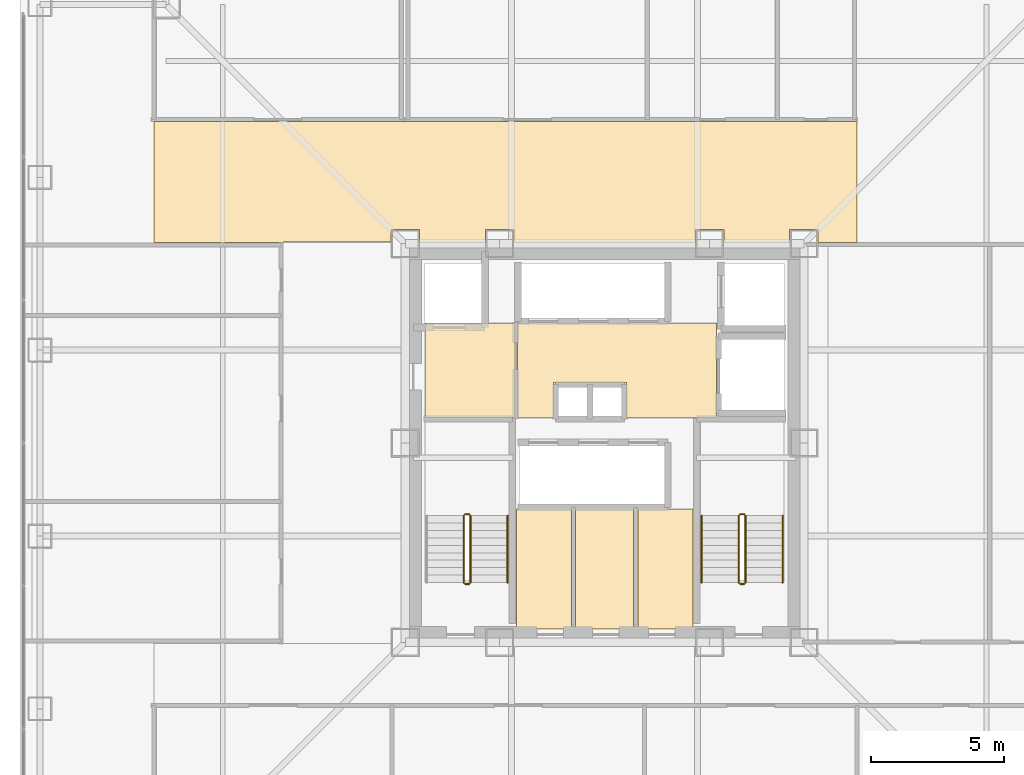
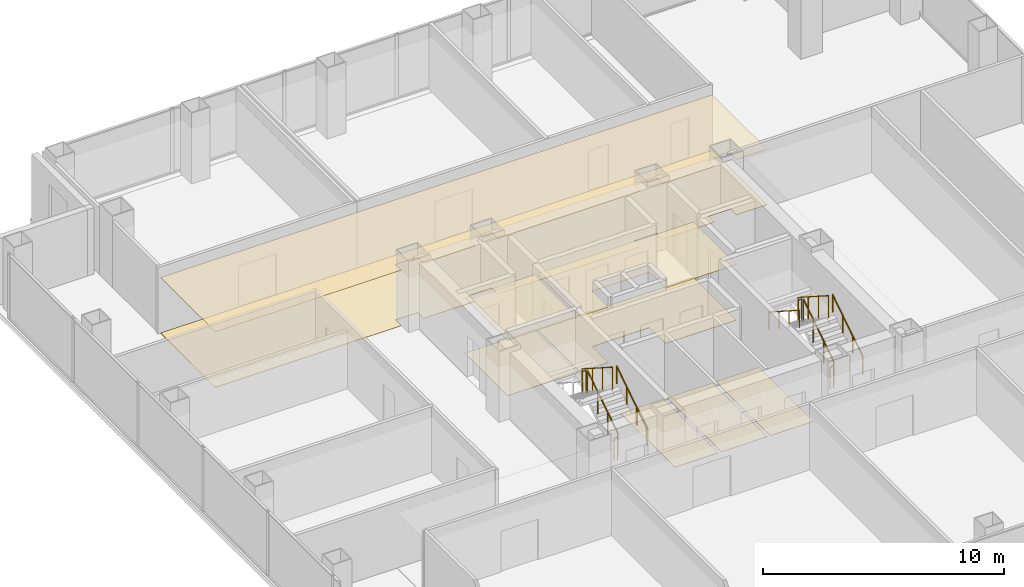
# One storey, part 16 of 17: 11 railings, 9 coverings.
"""IFC4 building model written with IfcOpenShell, lengths in metres."""

import ifcopenshell
import ifcopenshell.guid

model = None  # the IFC model being written
_history = None  # IfcOwnerHistory: only IFC2X3 demands one
_inside = {}  # id of a spatial element -> (the spatial element, [elements in it])
_under = {}  # id of a project, library or spatial element -> (it, [spatial elements below it])
_declared = {}  # id of a project -> (the project, [libraries it declares])
_typed = {}  # id of a type object -> (the type object, [elements of that type])
_made_of = {}  # id of a material, layer set ... -> (it, [elements and type objects made of it])


def new_model(schema):
    """Start an empty IFC model of exactly this schema.

    Asked for "IFC4X3", IfcOpenShell would pick the latest addendum, in which some entities
    have other attributes; the version numbers below select the first issue.
    IFC2X3 requires an IfcOwnerHistory on every rooted entity: one is made here for all.
    """
    global model, _history
    if schema == "IFC4X3":
        model = ifcopenshell.file(schema_version=(4, 3, 0, 0))
    else:
        model = ifcopenshell.file(schema=schema)
    _inside.clear()
    _under.clear()
    _declared.clear()
    _typed.clear()
    _made_of.clear()
    _history = None
    if model.schema == "IFC2X3":
        org = make("IfcOrganization", Name="unknown")
        user = make(
            "IfcPersonAndOrganization",
            ThePerson=make("IfcPerson", FamilyName="unknown"),
            TheOrganization=org,
        )
        app = make(
            "IfcApplication",
            ApplicationDeveloper=org,
            Version="unknown",
            ApplicationFullName="unknown",
            ApplicationIdentifier="unknown",
        )
        _history = make(
            "IfcOwnerHistory",
            OwningUser=user,
            OwningApplication=app,
            ChangeAction="ADDED",
            CreationDate=0,
        )
    return model


def make(cls, **values):
    """One entity of the class cls with the attributes given. An attribute that is None is left unset."""
    return model.create_entity(
        cls, **{name: value for name, value in values.items() if value is not None}
    )


def rooted(cls, **values):
    """An entity with a GlobalId (a new one), such as an element, a storey or a relation."""
    return make(cls, GlobalId=ifcopenshell.guid.new(), OwnerHistory=_history, **values)


def si_unit(unit_type, name, prefix=None):
    """IfcSIUnit, for example si_unit("LENGTHUNIT", "METRE", prefix="MILLI")."""
    return make("IfcSIUnit", UnitType=unit_type, Prefix=prefix, Name=name)


def assignment(units):
    """IfcUnitAssignment: the units of a project."""
    return None if units is None else make("IfcUnitAssignment", Units=units)


def point(xyz):
    """IfcCartesianPoint."""
    return None if xyz is None else make("IfcCartesianPoint", Coordinates=xyz)


def direction(xyz):
    """IfcDirection."""
    return None if xyz is None else make("IfcDirection", DirectionRatios=xyz)


def frame(location, z_axis=None, x_axis=None):
    """IfcAxis2Placement3D, a coordinate frame: its origin and axes. An axis left out is left unset."""
    return make(
        "IfcAxis2Placement3D",
        Location=point(location),
        Axis=direction(z_axis),
        RefDirection=direction(x_axis),
    )


def frame_2d(location, x_axis=None):
    """IfcAxis2Placement2D, a coordinate frame in the plane: its origin and x axis."""
    return make(
        "IfcAxis2Placement2D", Location=point(location), RefDirection=direction(x_axis)
    )


def origin():
    """The frame at (0, 0, 0) with its axes left unset."""
    return frame((0.0, 0.0, 0.0))


def origin_2d():
    """The frame at (0, 0) in the plane with its x axis left unset."""
    return frame_2d((0.0, 0.0))


def place(relative_to, where):
    """IfcLocalPlacement: puts the frame where relative to a parent placement (None: the world)."""
    return make(
        "IfcLocalPlacement", PlacementRelTo=relative_to, RelativePlacement=where
    )


def context(
    kind, dimensions, precision=None, world=None, true_north=None, identifier=None
):
    """IfcGeometricRepresentationContext, for example the 3D "Model" context."""
    return make(
        "IfcGeometricRepresentationContext",
        ContextIdentifier=identifier,
        ContextType=kind,
        CoordinateSpaceDimension=dimensions,
        Precision=precision,
        WorldCoordinateSystem=world,
        TrueNorth=true_north,
    )


def subcontext(parent, identifier, kind, view, scale=None):
    """IfcGeometricRepresentationSubContext, for example "Body" below "Model"."""
    return make(
        "IfcGeometricRepresentationSubContext",
        ContextIdentifier=identifier,
        ContextType=kind,
        ParentContext=parent,
        TargetScale=scale,
        TargetView=view,
    )


def project(units=None, contexts=None):
    """IfcProject with its units and contexts."""
    return rooted(
        "IfcProject",
        Name="project",
        RepresentationContexts=contexts,
        UnitsInContext=assignment(units),
    )


def spatial(cls, under=None, at=None, **own):
    """A site, building, storey or space (cls), placed at a placement, below another one or the project."""
    s = rooted(cls, ObjectPlacement=at, **own)
    if under is not None:
        _under.setdefault(under.id(), (under, []))[1].append(s)
    return s


def polyline(points):
    """IfcPolyline through the points."""
    return make("IfcPolyline", Points=[point(p) for p in points])


def profile(cls, at=None, kind="AREA", **sizes):
    """A parametric profile (cls). Its sizes go by their IFC names, for example OverallWidth=200.0."""
    return make(cls, ProfileType=kind, Position=at, **sizes)


def circle(**sizes):
    """IfcCircleProfileDef."""
    return profile("IfcCircleProfileDef", **sizes)


def outline(outer, holes=None, kind="AREA"):
    """IfcArbitraryClosedProfileDef: a profile drawn as a closed curve; with holes, ...WithVoids."""
    if holes is None:
        return make("IfcArbitraryClosedProfileDef", ProfileType=kind, OuterCurve=outer)
    return make(
        "IfcArbitraryProfileDefWithVoids",
        ProfileType=kind,
        OuterCurve=outer,
        InnerCurves=holes,
    )


def extrude(swept, where, along, depth):
    """IfcExtrudedAreaSolid: the profile swept, set in the frame where, extruded along a direction by depth."""
    return make(
        "IfcExtrudedAreaSolid",
        SweptArea=swept,
        Position=where,
        ExtrudedDirection=direction(along),
        Depth=depth,
    )


def shape(context_of_items, identifier, shape_type, items):
    """IfcShapeRepresentation: the items that make up one representation, for example the "Body"."""
    return make(
        "IfcShapeRepresentation",
        ContextOfItems=context_of_items,
        RepresentationIdentifier=identifier,
        RepresentationType=shape_type,
        Items=items,
    )


def material(Name=None, Category=None):
    """IfcMaterial."""
    return make("IfcMaterial", Name=Name, Category=Category)


def layer(
    of_material, thickness, ventilated=None, Name=None, Category=None, Priority=None
):
    """IfcMaterialLayer: one layer of a wall or slab, of a material (None: an air gap)."""
    return make(
        "IfcMaterialLayer",
        Material=of_material,
        LayerThickness=thickness,
        IsVentilated=ventilated,
        Name=Name,
        Category=Category,
        Priority=Priority,
    )


def layer_set(layers, Name=None):
    """IfcMaterialLayerSet."""
    return make("IfcMaterialLayerSet", MaterialLayers=layers, LayerSetName=Name)


def made_of(thing, what):
    """Note that an element or type object is made of a material, layer set ...; save() writes the relation."""
    if what is not None:
        _made_of.setdefault(what.id(), (what, []))[1].append(thing)
    return thing


def type_object(cls, material=None, **own):
    """A type object (cls), such as IfcWallType, which elements share."""
    return made_of(rooted(cls, **own), material)


def element(
    cls,
    number,
    at=None,
    inside=None,
    cuts=None,
    type_object=None,
    material=None,
    context=None,
    identifier="Body",
    shape_type=None,
    held_by="IfcProductDefinitionShape",
    body=None,
    shapes=None,
    **own,
):
    """One element of the class cls, such as IfcWall. Its Tag is "e" and its number.

    at: its placement. inside: the storey or other place that contains it. cuts: it is an
    opening in that element (IfcRelVoidsElement). A single representation is given by context,
    identifier, shape_type and body (its items); several are given by shapes. held_by: the class
    of the entity that holds the representations. save() writes the other relations.
    """
    e = rooted(cls, Tag="e%d" % number, ObjectPlacement=at, **own)
    if body is not None:
        shapes = [shape(context, identifier, shape_type, body)]
    if shapes is not None:
        e.Representation = make(held_by, Representations=shapes)
    if inside is not None:
        _inside.setdefault(inside.id(), (inside, []))[1].append(e)
    if cuts is not None:
        rooted(
            "IfcRelVoidsElement", RelatingBuildingElement=cuts, RelatedOpeningElement=e
        )
    if type_object is not None:
        _typed.setdefault(type_object.id(), (type_object, []))[1].append(e)
    return made_of(e, material)


def aggregate(whole, parts):
    """IfcRelAggregates: a whole, such as a stair, and the parts it consists of."""
    return rooted("IfcRelAggregates", RelatingObject=whole, RelatedObjects=parts)


def save(model, path):
    """Write the relations noted so far, then the file.

    IfcRelAggregates (storeys below a building ...), IfcRelContainedInSpatialStructure (elements
    in a storey), IfcRelDefinesByType, IfcRelAssociatesMaterial and IfcRelDeclares: one each for
    every whole, place, type object, material and project.
    """
    for whole, parts in _under.values():
        aggregate(whole, parts)
    for where, things in _inside.values():
        rooted(
            "IfcRelContainedInSpatialStructure",
            RelatedElements=things,
            RelatingStructure=where,
        )
    for kind, things in _typed.values():
        rooted("IfcRelDefinesByType", RelatedObjects=things, RelatingType=kind)
    for what, things in _made_of.values():
        rooted("IfcRelAssociatesMaterial", RelatedObjects=things, RelatingMaterial=what)
    for by, libraries in _declared.values():
        rooted("IfcRelDeclares", RelatingContext=by, RelatedDefinitions=libraries)
    model.write(path)


model = new_model("IFC4")

# Units and contexts
model_context = context("Model", 3, precision=1e-05, world=origin(), true_north=direction((0.0, 1.0)))
body_context = subcontext(model_context, "Body", "Model", "MODEL_VIEW")
ifc_project = project(units=[si_unit("LENGTHUNIT", "METRE"), si_unit("AREAUNIT", "SQUARE_METRE"), si_unit("VOLUMEUNIT", "CUBIC_METRE"), si_unit("PLANEANGLEUNIT", "RADIAN"), si_unit("MASSUNIT", "GRAM", prefix="KILO")], contexts=[model_context])

# Site, building, storey
site_placement = place(None, origin())
site = spatial("IfcSite", under=ifc_project, at=site_placement, CompositionType="ELEMENT")
building_placement = place(site_placement, origin())
building = spatial("IfcBuilding", under=site, at=building_placement, Name="Trevonay Congress Spire", CompositionType="ELEMENT")
storey_placement = place(building_placement, frame((0.0, 0.0, 130.0)))
storey = spatial("IfcBuildingStorey", under=building, at=storey_placement, Name="L33", CompositionType="ELEMENT", Elevation=130.0)

# Coverings
ifc_material_1 = material(Name="Acoustic Mineral Fibre Board", Category="gypsum")
ifc_layer_1 = layer(ifc_material_1, 0.02490234375, Name="Acoustic Mineral Fibre Board")
ifc_layer_set_1 = layer_set([ifc_layer_1], Name="Acoustic Mineral Fibre Board")
covering_type_1 = type_object("IfcCoveringType", Name="COV-CEIL-ACOUSTIC", PredefinedType="CEILING", material=ifc_layer_set_1)
covering_1_placement = place(storey_placement, frame((0.0, 0.0, 2.81005859375)))
element("IfcCovering", 1, at=covering_1_placement, inside=storey, type_object=covering_type_1, Name="L33 Firefighting Lift Lobby West acoustic suspended ceiling", PredefinedType="CEILING", context=body_context, shape_type="SweptSolid", body=[
    extrude(outline(polyline([(-6.75, 0.9599609375), (-3.3798828125, 0.9599609375), (-3.3798828125, 4.52001953125), (-6.75, 4.52001953125), (-6.75, 0.9599609375)])), origin(), (0.0, 0.0, 1.0), 0.02490234375),
])
covering_2_placement = place(storey_placement, frame((0.0, 0.0, 2.81005859375)))
element("IfcCovering", 2, at=covering_2_placement, inside=storey, type_object=covering_type_1, Name="L33 Central and High-Rise Passenger Lift Lobby acoustic suspended ceiling", PredefinedType="CEILING", context=body_context, shape_type="SweptSolid", body=[
    extrude(outline(polyline([(-3.280029296875, 0.949951171875), (-1.919921875, 0.949951171875), (-1.919921875, 2.280029296875), (0.820068359375, 2.280029296875), (0.820068359375, 0.949951171875), (4.219970703125, 0.949951171875), (4.219970703125, 4.52001953125), (-3.280029296875, 4.52001953125), (-3.280029296875, 0.949951171875)])), origin(), (0.0, 0.0, 1.0), 0.02490234375),
])
covering_3_placement = place(storey_placement, frame((0.0, 0.0, 2.81005859375)))
element("IfcCovering", 3, at=covering_3_placement, inside=storey, type_object=covering_type_1, Name="L33 North Sky Promenade Salon acoustic suspended ceiling", PredefinedType="CEILING", context=body_context, shape_type="SweptSolid", body=[
    extrude(outline(polyline([(-16.949951171875, 12.10009765625), (9.5, 12.10009765625), (9.5, 7.550048828125), (8.034912109375, 7.550048828125), (8.034912109375, 8.034912109375), (6.965087890625, 8.034912109375), (6.965087890625, 7.550048828125), (4.485107421875, 7.550048828125), (4.485107421875, 8.034912109375), (3.4150390625, 8.034912109375), (3.4150390625, 7.550048828125), (-3.4150390625, 7.550048828125), (-3.4150390625, 8.034912109375), (-4.485107421875, 8.034912109375), (-4.485107421875, 7.550048828125), (-6.965087890625, 7.550048828125), (-6.965087890625, 8.034912109375), (-8.034912109375, 8.034912109375), (-8.034912109375, 7.56005859375), (-12.110107421875, 7.56005859375), (-12.110107421875, 7.550048828125), (-16.949951171875, 7.550048828125), (-16.949951171875, 12.10009765625)])), origin(), (0.0, 0.0, 1.0), 0.02490234375),
])
ifc_material_2 = material(Name="Polished Granite Floor Tile", Category="masonry")
ifc_layer_2 = layer(ifc_material_2, 0.02001953125, Name="Polished Granite Floor Tile")
ifc_layer_set_2 = layer_set([ifc_layer_2], Name="Polished Granite Floor Tile")
covering_type_2 = type_object("IfcCoveringType", Name="COV-FLOOR-STONE", PredefinedType="FLOORING", material=ifc_layer_set_2)
covering_4_placement = place(storey_placement, origin())
element("IfcCovering", 4, at=covering_4_placement, inside=storey, type_object=covering_type_2, Name="L33 Firefighting Lift Lobby West floor finish", PredefinedType="FLOORING", context=body_context, shape_type="SweptSolid", body=[
    extrude(outline(polyline([(-6.75, 0.9599609375), (-3.3798828125, 0.9599609375), (-3.3798828125, 4.52001953125), (-6.75, 4.52001953125), (-6.75, 0.9599609375)])), origin(), (0.0, 0.0, 1.0), 0.02001953125),
])
covering_5_placement = place(storey_placement, origin())
element("IfcCovering", 5, at=covering_5_placement, inside=storey, type_object=covering_type_2, Name="L33 Central and High-Rise Passenger Lift Lobby floor finish", PredefinedType="FLOORING", context=body_context, shape_type="SweptSolid", body=[
    extrude(outline(polyline([(-3.280029296875, 0.949951171875), (-1.919921875, 0.949951171875), (-1.919921875, 2.280029296875), (0.820068359375, 2.280029296875), (0.820068359375, 0.949951171875), (4.219970703125, 0.949951171875), (4.219970703125, 4.52001953125), (-3.280029296875, 4.52001953125), (-3.280029296875, 0.949951171875)])), origin(), (0.0, 0.0, 1.0), 0.02001953125),
])
covering_6_placement = place(storey_placement, origin())
element("IfcCovering", 6, at=covering_6_placement, inside=storey, type_object=covering_type_2, Name="L33 Core AHU Fan Plant Room floor finish", PredefinedType="FLOORING", context=body_context, shape_type="SweptSolid", body=[
    extrude(outline(polyline([(-3.320068359375, -7.0), (-1.25, -7.0), (-1.25, -2.47998046875), (-3.320068359375, -2.47998046875), (-3.320068359375, -7.0)])), origin(), (0.0, 0.0, 1.0), 0.02001953125),
])
covering_7_placement = place(storey_placement, origin())
element("IfcCovering", 7, at=covering_7_placement, inside=storey, type_object=covering_type_2, Name="L33 Core IT Comms Store floor finish", PredefinedType="FLOORING", context=body_context, shape_type="SweptSolid", body=[
    extrude(outline(polyline([(-1.090087890625, -7.0), (1.090087890625, -7.0), (1.090087890625, -2.47998046875), (-1.090087890625, -2.47998046875), (-1.090087890625, -7.0)])), origin(), (0.0, 0.0, 1.0), 0.02001953125),
])
covering_8_placement = place(storey_placement, origin())
element("IfcCovering", 8, at=covering_8_placement, inside=storey, type_object=covering_type_2, Name="L33 Housekeeping Linen Store floor finish", PredefinedType="FLOORING", context=body_context, shape_type="SweptSolid", body=[
    extrude(outline(polyline([(1.25, -7.0), (3.320068359375, -7.0), (3.320068359375, -2.47998046875), (1.25, -2.47998046875), (1.25, -7.0)])), origin(), (0.0, 0.0, 1.0), 0.02001953125),
])
ifc_material_3 = material(Name="Engineered Oak Flooring", Category="wood")
ifc_layer_3 = layer(ifc_material_3, 0.01806640625, Name="Engineered Oak Flooring")
ifc_layer_set_3 = layer_set([ifc_layer_3], Name="Engineered Oak Flooring")
covering_type_3 = type_object("IfcCoveringType", Name="COV-FLOOR-TIMBER", PredefinedType="FLOORING", material=ifc_layer_set_3)
covering_9_placement = place(storey_placement, origin())
element("IfcCovering", 9, at=covering_9_placement, inside=storey, type_object=covering_type_3, Name="L33 North Sky Promenade Salon floor finish", PredefinedType="FLOORING", context=body_context, shape_type="SweptSolid", body=[
    extrude(outline(polyline([(-16.949951171875, 12.10009765625), (9.5, 12.10009765625), (9.5, 7.550048828125), (8.034912109375, 7.550048828125), (8.034912109375, 8.034912109375), (6.965087890625, 8.034912109375), (6.965087890625, 7.550048828125), (4.485107421875, 7.550048828125), (4.485107421875, 8.034912109375), (3.4150390625, 8.034912109375), (3.4150390625, 7.550048828125), (-3.4150390625, 7.550048828125), (-3.4150390625, 8.034912109375), (-4.485107421875, 8.034912109375), (-4.485107421875, 7.550048828125), (-6.965087890625, 7.550048828125), (-6.965087890625, 8.034912109375), (-8.034912109375, 8.034912109375), (-8.034912109375, 7.56005859375), (-12.110107421875, 7.56005859375), (-12.110107421875, 7.550048828125), (-16.949951171875, 7.550048828125), (-16.949951171875, 12.10009765625)])), origin(), (0.0, 0.0, 1.0), 0.01806640625),
])

# Railings
ifc_material_4 = material(Name="Pale Anodised Aluminium EN AW-6063-T6", Category="aluminium")
railing_type_1 = type_object("IfcRailingType", Name="RAL-STAIR-GUARD-110", PredefinedType="GUARDRAIL", material=ifc_material_4)
railing_1_placement = place(storey_placement, frame((-5.050048828125, -5.25, 0.179931640625)))
element("IfcRailing", 10, at=railing_1_placement, inside=storey, type_object=railing_type_1, Name="L33 ST-1 stair guard 1", PredefinedType="GUARDRAIL", context=body_context, shape_type="SweptSolid", body=[
    extrude(circle(Radius=0.02392578125, at=origin_2d()), frame((0.0, 0.0, 1.1259765625), z_axis=(0.0, 0.841162588446, 0.540782303519), x_axis=(-1.0, 0.0, 0.0)), (0.0, 0.0, 1.0), 2.995849609375),
    extrude(circle(Radius=0.02099609375, at=origin_2d()), origin(), (0.0, 0.0, 1.0), 1.101806640625),
    extrude(circle(Radius=0.02099609375, at=origin_2d()), frame((0.0, 0.840087890625, 0.5400390625)), (0.0, 0.0, 1.0), 1.101806640625),
    extrude(circle(Radius=0.02099609375, at=origin_2d()), frame((0.0, 1.679931640625, 1.080078125)), (0.0, 0.0, 1.0), 1.101806640625),
    extrude(circle(Radius=0.02099609375, at=origin_2d()), frame((0.0, 2.52001953125, 1.6201171875)), (0.0, 0.0, 1.0), 1.101806640625),
])
railing_2_placement = place(storey_placement, frame((-5.10009765625, -2.679931640625, 1.800048828125)))
element("IfcRailing", 11, at=railing_2_placement, inside=storey, type_object=railing_type_1, Name="L33 ST-1 stair guard 2", PredefinedType="GUARDRAIL", context=body_context, shape_type="SweptSolid", body=[
    extrude(circle(Radius=0.02392578125, at=origin_2d()), frame((0.0, 0.0, 1.1259765625), z_axis=(-1.0, 0.0, 0.0), x_axis=(0.0, -1.0, 0.0)), (0.0, 0.0, 1.0), 0.14990234375),
    extrude(circle(Radius=0.02099609375, at=origin_2d()), origin(), (0.0, 0.0, 1.0), 1.101806640625),
    extrude(circle(Radius=0.02099609375, at=origin_2d()), frame((-0.14990234375, 0.0, 0.0)), (0.0, 0.0, 1.0), 1.101806640625),
])
railing_3_placement = place(storey_placement, frame((-5.300048828125, -2.72998046875, 1.97998046875)))
element("IfcRailing", 12, at=railing_3_placement, inside=storey, type_object=railing_type_1, Name="L33 ST-1 stair guard 3", PredefinedType="GUARDRAIL", context=body_context, shape_type="SweptSolid", body=[
    extrude(circle(Radius=0.02392578125, at=origin_2d()), frame((0.0, 0.0, 1.1259765625), z_axis=(0.0, -0.841162588446, 0.540782303519), x_axis=(1.0, 0.0, 0.0)), (0.0, 0.0, 1.0), 2.995849609375),
    extrude(circle(Radius=0.02099609375, at=origin_2d()), origin(), (0.0, 0.0, 1.0), 1.101806640625),
    extrude(circle(Radius=0.02099609375, at=origin_2d()), frame((0.0, -0.840087890625, 0.5400390625)), (0.0, 0.0, 1.0), 1.101806640625),
    extrude(circle(Radius=0.02099609375, at=origin_2d()), frame((0.0, -1.679931640625, 1.080078125)), (0.0, 0.0, 1.0), 1.101806640625),
    extrude(circle(Radius=0.02099609375, at=origin_2d()), frame((0.0, -2.52001953125, 1.6201171875)), (0.0, 0.0, 1.0), 1.101806640625),
])
railing_4_placement = place(storey_placement, frame((-5.10009765625, -5.300048828125, 0.0)))
element("IfcRailing", 13, at=railing_4_placement, inside=storey, type_object=railing_type_1, Name="L33 ST-1 stair guard 4", PredefinedType="GUARDRAIL", context=body_context, shape_type="SweptSolid", body=[
    extrude(circle(Radius=0.02392578125, at=origin_2d()), frame((0.0, 0.0, 1.1259765625), z_axis=(-1.0, 0.0, 0.0), x_axis=(0.0, -1.0, 0.0)), (0.0, 0.0, 1.0), 0.14990234375),
    extrude(circle(Radius=0.02099609375, at=origin_2d()), origin(), (0.0, 0.0, 1.0), 1.101806640625),
    extrude(circle(Radius=0.02099609375, at=origin_2d()), frame((-0.14990234375, 0.0, 0.0)), (0.0, 0.0, 1.0), 1.101806640625),
])
railing_5_placement = place(storey_placement, frame((5.300048828125, -5.25, 0.179931640625)))
element("IfcRailing", 14, at=railing_5_placement, inside=storey, type_object=railing_type_1, Name="L33 ST-2 stair guard 1", PredefinedType="GUARDRAIL", context=body_context, shape_type="SweptSolid", body=[
    extrude(circle(Radius=0.02392578125, at=origin_2d()), frame((0.0, 0.0, 1.1259765625), z_axis=(0.0, 0.841162588446, 0.540782303519), x_axis=(-1.0, 0.0, 0.0)), (0.0, 0.0, 1.0), 2.995849609375),
    extrude(circle(Radius=0.02099609375, at=origin_2d()), origin(), (0.0, 0.0, 1.0), 1.101806640625),
    extrude(circle(Radius=0.02099609375, at=origin_2d()), frame((0.0, 0.840087890625, 0.5400390625)), (0.0, 0.0, 1.0), 1.101806640625),
    extrude(circle(Radius=0.02099609375, at=origin_2d()), frame((0.0, 1.679931640625, 1.080078125)), (0.0, 0.0, 1.0), 1.101806640625),
    extrude(circle(Radius=0.02099609375, at=origin_2d()), frame((0.0, 2.52001953125, 1.6201171875)), (0.0, 0.0, 1.0), 1.101806640625),
])
railing_6_placement = place(storey_placement, frame((5.25, -2.679931640625, 1.800048828125)))
element("IfcRailing", 15, at=railing_6_placement, inside=storey, type_object=railing_type_1, Name="L33 ST-2 stair guard 2", PredefinedType="GUARDRAIL", context=body_context, shape_type="SweptSolid", body=[
    extrude(circle(Radius=0.02392578125, at=origin_2d()), frame((0.0, 0.0, 1.1259765625), z_axis=(-1.0, 0.0, 0.0), x_axis=(0.0, -1.0, 0.0)), (0.0, 0.0, 1.0), 0.14990234375),
    extrude(circle(Radius=0.02099609375, at=origin_2d()), origin(), (0.0, 0.0, 1.0), 1.101806640625),
    extrude(circle(Radius=0.02099609375, at=origin_2d()), frame((-0.14990234375, 0.0, 0.0)), (0.0, 0.0, 1.0), 1.101806640625),
])
railing_7_placement = place(storey_placement, frame((5.050048828125, -2.72998046875, 1.97998046875)))
element("IfcRailing", 16, at=railing_7_placement, inside=storey, type_object=railing_type_1, Name="L33 ST-2 stair guard 3", PredefinedType="GUARDRAIL", context=body_context, shape_type="SweptSolid", body=[
    extrude(circle(Radius=0.02392578125, at=origin_2d()), frame((0.0, 0.0, 1.1259765625), z_axis=(0.0, -0.841162588446, 0.540782303519), x_axis=(1.0, 0.0, 0.0)), (0.0, 0.0, 1.0), 2.995849609375),
    extrude(circle(Radius=0.02099609375, at=origin_2d()), origin(), (0.0, 0.0, 1.0), 1.101806640625),
    extrude(circle(Radius=0.02099609375, at=origin_2d()), frame((0.0, -0.840087890625, 0.5400390625)), (0.0, 0.0, 1.0), 1.101806640625),
    extrude(circle(Radius=0.02099609375, at=origin_2d()), frame((0.0, -1.679931640625, 1.080078125)), (0.0, 0.0, 1.0), 1.101806640625),
    extrude(circle(Radius=0.02099609375, at=origin_2d()), frame((0.0, -2.52001953125, 1.6201171875)), (0.0, 0.0, 1.0), 1.101806640625),
])
railing_8_placement = place(storey_placement, frame((5.25, -5.300048828125, 0.0)))
element("IfcRailing", 17, at=railing_8_placement, inside=storey, type_object=railing_type_1, Name="L33 ST-2 stair guard 4", PredefinedType="GUARDRAIL", context=body_context, shape_type="SweptSolid", body=[
    extrude(circle(Radius=0.02392578125, at=origin_2d()), frame((0.0, 0.0, 1.1259765625), z_axis=(-1.0, 0.0, 0.0), x_axis=(0.0, -1.0, 0.0)), (0.0, 0.0, 1.0), 0.14990234375),
    extrude(circle(Radius=0.02099609375, at=origin_2d()), origin(), (0.0, 0.0, 1.0), 1.101806640625),
    extrude(circle(Radius=0.02099609375, at=origin_2d()), frame((-0.14990234375, 0.0, 0.0)), (0.0, 0.0, 1.0), 1.101806640625),
])
railing_type_2 = type_object("IfcRailingType", Name="RAL-STAIR-HANDRAIL", PredefinedType="HANDRAIL", material=ifc_material_4)
for number, where, name in (
    (18, (-3.64990234375, -5.25, 0.179931640625), "L33 ST-1 stair handrail 1"),
    (19, (6.699951171875, -5.25, 0.179931640625), "L33 ST-2 stair handrail 1"),
):
    element("IfcRailing", number, at=place(storey_placement, frame(where)), inside=storey, type_object=railing_type_2, Name=name, PredefinedType="HANDRAIL", context=body_context, shape_type="SweptSolid", body=[
        extrude(circle(Radius=0.02392578125, at=origin_2d()), frame((0.0, 0.0, 0.8759765625), z_axis=(0.0, 0.841162588446, 0.540782303519), x_axis=(-1.0, 0.0, 0.0)), (0.0, 0.0, 1.0), 2.995849609375),
        extrude(circle(Radius=0.02099609375, at=origin_2d()), origin(), (0.0, 0.0, 1.0), 0.851806640625),
        extrude(circle(Radius=0.02099609375, at=origin_2d()), frame((0.0, 0.840087890625, 0.5400390625)), (0.0, 0.0, 1.0), 0.851806640625),
        extrude(circle(Radius=0.02099609375, at=origin_2d()), frame((0.0, 1.679931640625, 1.080078125)), (0.0, 0.0, 1.0), 0.851806640625),
        extrude(circle(Radius=0.02099609375, at=origin_2d()), frame((0.0, 2.52001953125, 1.6201171875)), (0.0, 0.0, 1.0), 0.851806640625),
    ])
railing_9_placement = place(storey_placement, frame((3.64990234375, -2.72998046875, 1.97998046875)))
element("IfcRailing", 20, at=railing_9_placement, inside=storey, type_object=railing_type_2, Name="L33 ST-2 stair handrail 2", PredefinedType="HANDRAIL", context=body_context, shape_type="SweptSolid", body=[
    extrude(circle(Radius=0.02392578125, at=origin_2d()), frame((0.0, 0.0, 0.8759765625), z_axis=(0.0, -0.841162588446, 0.540782303519), x_axis=(1.0, 0.0, 0.0)), (0.0, 0.0, 1.0), 2.995849609375),
    extrude(circle(Radius=0.02099609375, at=origin_2d()), origin(), (0.0, 0.0, 1.0), 0.851806640625),
    extrude(circle(Radius=0.02099609375, at=origin_2d()), frame((0.0, -0.840087890625, 0.5400390625)), (0.0, 0.0, 1.0), 0.851806640625),
    extrude(circle(Radius=0.02099609375, at=origin_2d()), frame((0.0, -1.679931640625, 1.080078125)), (0.0, 0.0, 1.0), 0.851806640625),
    extrude(circle(Radius=0.02099609375, at=origin_2d()), frame((0.0, -2.52001953125, 1.6201171875)), (0.0, 0.0, 1.0), 0.851806640625),
])

save(model, "model.ifc")
